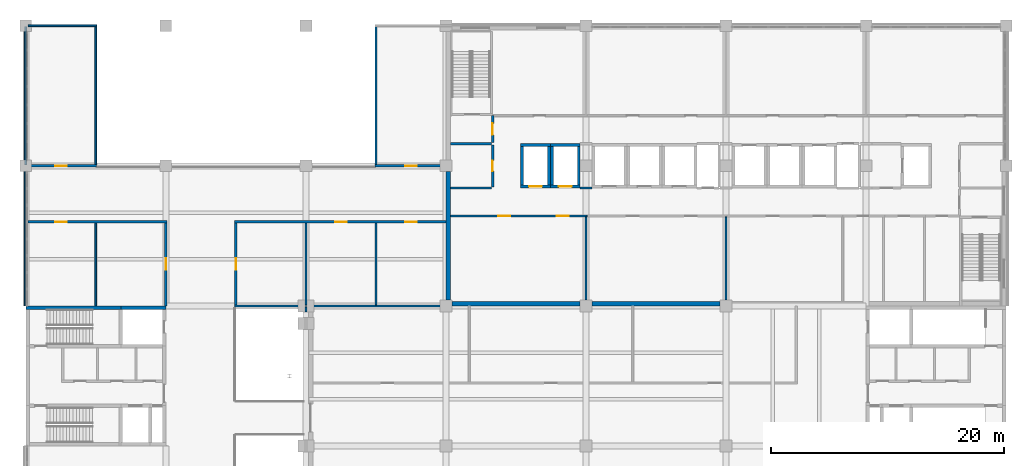
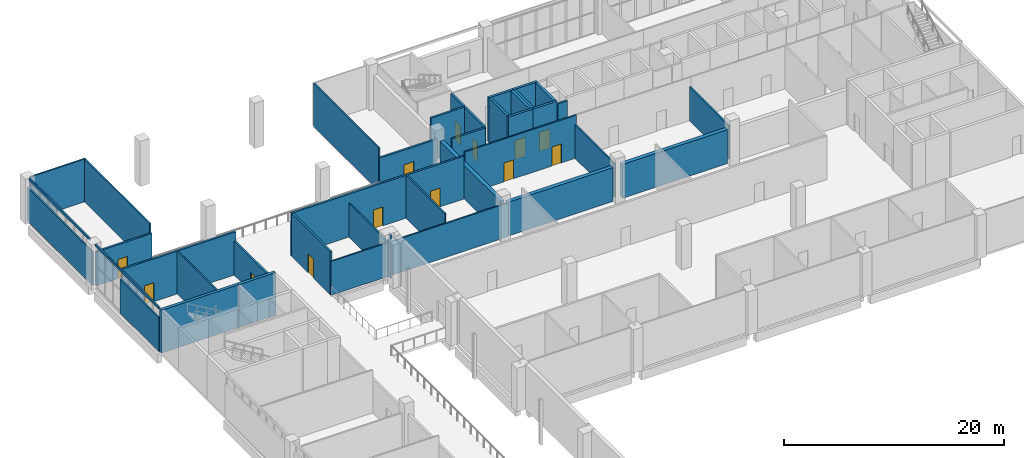
# One storey, part 62 of 69: 39 walls, 13 doors, 13 openings.
"""IFC4 building model written with IfcOpenShell, lengths in metres."""

from ifc_helpers import new_model, si_unit, direction, frame, frame_2d, origin, place, context, subcontext, project, spatial, rectangle, extrude, material, layer, layer_set, type_object, element, fill, save


model = new_model("IFC4")

# Units and contexts
model_context = context("Model", 3, precision=1e-05, world=origin(), true_north=direction((0.0, 1.0)))
body_context = subcontext(model_context, "Body", "Model", "MODEL_VIEW")
ifc_project = project(units=[si_unit("LENGTHUNIT", "METRE"), si_unit("AREAUNIT", "SQUARE_METRE"), si_unit("VOLUMEUNIT", "CUBIC_METRE"), si_unit("PLANEANGLEUNIT", "RADIAN"), si_unit("MASSUNIT", "GRAM", prefix="KILO")], contexts=[model_context])

# Site, building, storey
site_placement = place(None, origin())
site = spatial("IfcSite", under=ifc_project, at=site_placement, CompositionType="ELEMENT")
building_placement = place(site_placement, origin())
building = spatial("IfcBuilding", under=site, at=building_placement, Name="Lilac Gate Convention Centre", CompositionType="ELEMENT")
storey_placement = place(building_placement, frame((0.0, 0.0, 12.0)))
storey = spatial("IfcBuildingStorey", under=building, at=storey_placement, Name="L02", CompositionType="ELEMENT", Elevation=12.0)

# Wall, opening, door
ifc_material_1 = material(Name="Concrete C60", Category="concrete")
ifc_layer_1 = layer(ifc_material_1, 0.25)
ifc_layer_set_1 = layer_set([ifc_layer_1], Name="Concrete C60")
wall_type_1 = type_object("IfcWallType", Name="Core wall 250 C60", PredefinedType="SHEAR", material=ifc_layer_set_1)
wall_1_placement = place(storey_placement, frame((48.39990234375, 232.22509765625, 0.0), z_axis=(0.0, 0.0, 1.0), x_axis=(1.0, 0.0, 0.0)))
wall_1 = element("IfcWall", 1, at=wall_1_placement, inside=storey, type_object=wall_type_1, Name="CRW3 core wall TC L02 25", PredefinedType="SHEAR", context=body_context, shape_type="SweptSolid", body=[
    extrude(rectangle(XDim=2.550048828125, YDim=0.25, at=frame_2d((1.27490234375, 0.0))), origin(), (0.0, 0.0, 1.0), 5.0),
])
opening_1_placement = place(wall_1_placement, frame((0.72509765625, 0.0, 0.0)))
opening_1 = element("IfcOpeningElement", 2, at=opening_1_placement, cuts=wall_1, Name="Opening T02-030", PredefinedType="OPENING", context=body_context, shape_type="SweptSolid", body=[
    extrude(rectangle(XDim=1.10009765625, YDim=2.10009765625, at=frame_2d((0.550048828125, 1.050048828125))), frame((0.0, 0.135009765625, 0.0), z_axis=(0.0, -1.0, 0.0), x_axis=(1.0, 0.0, 0.0)), (0.0, 0.0, 1.0), 0.27001953125),
])
ifc_material_2 = material(Name="Stainless steel 304", Category="steel")
door_type_1 = type_object("IfcDoorType", Name="Lift landing door 1100", OperationType="SLIDING_TO_LEFT", PredefinedType="DOOR", material=ifc_material_2)
door_1_placement = place(opening_1_placement, origin())
door_1 = element("IfcDoor", 3, at=door_1_placement, inside=storey, type_object=door_type_1, Name="Lift landing door TS1 L02", OperationType="SLIDING_TO_LEFT", OverallHeight=2.10009765625, OverallWidth=1.10009765625, PredefinedType="DOOR", context=body_context, shape_type="SweptSolid", body=[
    extrude(rectangle(XDim=1.10009765625, YDim=2.10009765625, at=frame_2d((0.550048828125, 1.050048828125))), frame((0.0, 0.02490234375, 0.0), z_axis=(0.0, -1.0, 0.0), x_axis=(1.0, 0.0, 0.0)), (0.0, 0.0, 1.0), 0.050048828125),
])
fill(opening_1, door_1)

# Walls
wall_2_placement = place(storey_placement, frame((48.39990234375, 235.77490234375, 0.0), z_axis=(0.0, 0.0, 1.0), x_axis=(1.0, 0.0, 0.0)))
element("IfcWall", 4, at=wall_2_placement, inside=storey, type_object=wall_type_1, Name="CRW3 core wall TC L02 26", PredefinedType="SHEAR", context=body_context, shape_type="SweptSolid", body=[
    extrude(rectangle(XDim=2.550048828125, YDim=0.25, at=frame_2d((1.27490234375, 0.0))), origin(), (0.0, 0.0, 1.0), 5.0),
])
for number, where, z_axis, x_axis, name in (
    (5, (48.52490234375, 232.35009765625, 0.0), (0.0, 0.0, 1.0), (0.0, 1.0, 0.0), "CRW3 core wall TC L02 27"),
    (6, (50.824951171875, 232.35009765625, 0.0), (0.0, 0.0, 1.0), (0.0, 1.0, 0.0), "CRW3 core wall TC L02 28"),
):
    element("IfcWall", number, at=place(storey_placement, frame(where, z_axis=z_axis, x_axis=x_axis)), inside=storey, type_object=wall_type_1, Name=name, PredefinedType="SHEAR", context=body_context, shape_type="SweptSolid", body=[
        extrude(rectangle(XDim=3.2998046875, YDim=0.25, at=frame_2d((1.64990234375, 0.0))), origin(), (0.0, 0.0, 1.0), 5.0),
    ])

# Wall, opening, door
wall_3_placement = place(storey_placement, frame((50.949951171875, 232.22509765625, 0.0), z_axis=(0.0, 0.0, 1.0), x_axis=(1.0, 0.0, 0.0)))
wall_3 = element("IfcWall", 7, at=wall_3_placement, inside=storey, type_object=wall_type_1, Name="CRW3 core wall TC L02 29", PredefinedType="SHEAR", context=body_context, shape_type="SweptSolid", body=[
    extrude(rectangle(XDim=2.550048828125, YDim=0.25, at=frame_2d((1.27490234375, 0.0))), origin(), (0.0, 0.0, 1.0), 5.0),
])
opening_2_placement = place(wall_3_placement, frame((0.72509765625, 0.0, 0.0)))
opening_2 = element("IfcOpeningElement", 8, at=opening_2_placement, cuts=wall_3, Name="Opening T02-031", PredefinedType="OPENING", context=body_context, shape_type="SweptSolid", body=[
    extrude(rectangle(XDim=1.10009765625, YDim=2.10009765625, at=frame_2d((0.550048828125, 1.050048828125))), frame((0.0, 0.135009765625, 0.0), z_axis=(0.0, -1.0, 0.0), x_axis=(1.0, 0.0, 0.0)), (0.0, 0.0, 1.0), 0.27001953125),
])
door_2_placement = place(opening_2_placement, origin())
door_2 = element("IfcDoor", 9, at=door_2_placement, inside=storey, type_object=door_type_1, Name="Lift landing door TS2 L02", OperationType="SLIDING_TO_LEFT", OverallHeight=2.10009765625, OverallWidth=1.10009765625, PredefinedType="DOOR", context=body_context, shape_type="SweptSolid", body=[
    extrude(rectangle(XDim=1.10009765625, YDim=2.10009765625, at=frame_2d((0.550048828125, 1.050048828125))), frame((0.0, 0.02490234375, 0.0), z_axis=(0.0, -1.0, 0.0), x_axis=(1.0, 0.0, 0.0)), (0.0, 0.0, 1.0), 0.050048828125),
])
fill(opening_2, door_2)

# Walls
wall_4_placement = place(storey_placement, frame((50.949951171875, 235.77490234375, 0.0), z_axis=(0.0, 0.0, 1.0), x_axis=(1.0, 0.0, 0.0)))
element("IfcWall", 10, at=wall_4_placement, inside=storey, type_object=wall_type_1, Name="CRW3 core wall TC L02 30", PredefinedType="SHEAR", context=body_context, shape_type="SweptSolid", body=[
    extrude(rectangle(XDim=2.550048828125, YDim=0.25, at=frame_2d((1.27490234375, 0.0))), origin(), (0.0, 0.0, 1.0), 5.0),
])
for number, where, z_axis, x_axis, name in (
    (11, (51.074951171875, 232.35009765625, 0.0), (0.0, 0.0, 1.0), (0.0, 1.0, 0.0), "CRW3 core wall TC L02 31"),
    (12, (53.375, 232.35009765625, 0.0), (0.0, 0.0, 1.0), (0.0, 1.0, 0.0), "CRW3 core wall TC L02 32"),
):
    element("IfcWall", number, at=place(storey_placement, frame(where, z_axis=z_axis, x_axis=x_axis)), inside=storey, type_object=wall_type_1, Name=name, PredefinedType="SHEAR", context=body_context, shape_type="SweptSolid", body=[
        extrude(rectangle(XDim=3.2998046875, YDim=0.25, at=frame_2d((1.64990234375, 0.0))), origin(), (0.0, 0.0, 1.0), 5.0),
    ])

# Wall, openings, doors
ifc_material_3 = material(Name="Gypsum board on steel stud", Category="steel")
ifc_layer_2 = layer(ifc_material_3, 0.14990234375)
ifc_layer_set_2 = layer_set([ifc_layer_2], Name="Gypsum board on steel stud")
wall_type_2 = type_object("IfcWallType", Name="Corridor wall 150", PredefinedType="PARTITIONING", material=ifc_layer_set_2)
wall_5_placement = place(storey_placement, frame((54.10009765625, 229.699951171875, 0.0), z_axis=(0.0, 0.0, 1.0), x_axis=(-1.0, 0.0, 0.0)))
wall_5 = element("IfcWall", 13, at=wall_5_placement, inside=storey, type_object=wall_type_2, Name="Corridor wall 150 front M51", PredefinedType="PARTITIONING", context=body_context, shape_type="SweptSolid", body=[
    extrude(rectangle(XDim=11.7001953125, YDim=0.14990234375, at=frame_2d((5.85009765625, 0.0))), origin(), (0.0, 0.0, 1.0), 4.75),
])
opening_3_placement = place(wall_5_placement, frame((6.60009765625, 0.0, 0.0)))
opening_3 = element("IfcOpeningElement", 14, at=opening_3_placement, cuts=wall_5, Name="Opening T02-008", PredefinedType="OPENING", context=body_context, shape_type="SweptSolid", body=[
    extrude(rectangle(XDim=1.0, YDim=2.10009765625, at=frame_2d((0.5, 1.050048828125))), frame((0.0, 0.0849609375, 0.0), z_axis=(0.0, -1.0, 0.0), x_axis=(1.0, 0.0, 0.0)), (0.0, 0.0, 1.0), 0.169921875),
])
opening_4_placement = place(wall_5_placement, frame((1.60009765625, 0.0, 0.0)))
opening_4 = element("IfcOpeningElement", 15, at=opening_4_placement, cuts=wall_5, Name="Opening T02-009", PredefinedType="OPENING", context=body_context, shape_type="SweptSolid", body=[
    extrude(rectangle(XDim=1.0, YDim=2.10009765625, at=frame_2d((0.5, 1.050048828125))), frame((0.0, 0.0849609375, 0.0), z_axis=(0.0, -1.0, 0.0), x_axis=(1.0, 0.0, 0.0)), (0.0, 0.0, 1.0), 0.169921875),
])
ifc_material_4 = material(Name="Timber", Category="wood")
door_type_2 = type_object("IfcDoorType", Name="Room door 1000", OperationType="SINGLE_SWING_LEFT", PredefinedType="DOOR", material=ifc_material_4)
door_3_placement = place(opening_3_placement, origin())
door_3 = element("IfcDoor", 16, at=door_3_placement, inside=storey, type_object=door_type_2, Name="Meeting Room door", OperationType="SINGLE_SWING_RIGHT", OverallHeight=2.10009765625, OverallWidth=1.0, PredefinedType="DOOR", context=body_context, shape_type="SweptSolid", body=[
    extrude(rectangle(XDim=1.0, YDim=2.10009765625, at=frame_2d((0.5, 1.050048828125))), frame((0.0, 0.02490234375, 0.0), z_axis=(0.0, -1.0, 0.0), x_axis=(1.0, 0.0, 0.0)), (0.0, 0.0, 1.0), 0.050048828125),
])
fill(opening_3, door_3)
door_4_placement = place(opening_4_placement, origin())
door_4 = element("IfcDoor", 17, at=door_4_placement, inside=storey, type_object=door_type_2, Name="Meeting Room door", OperationType="SINGLE_SWING_LEFT", OverallHeight=2.10009765625, OverallWidth=1.0, PredefinedType="DOOR", context=body_context, shape_type="SweptSolid", body=[
    extrude(rectangle(XDim=1.0, YDim=2.10009765625, at=frame_2d((0.5, 1.050048828125))), frame((0.0, 0.02490234375, 0.0), z_axis=(0.0, -1.0, 0.0), x_axis=(1.0, 0.0, 0.0)), (0.0, 0.0, 1.0), 0.050048828125),
])
fill(opening_4, door_4)

# Walls
ifc_material_5 = material(Name="Concrete C30", Category="concrete")
ifc_layer_3 = layer(ifc_material_5, 0.39990234375)
ifc_layer_set_3 = layer_set([ifc_layer_3], Name="Concrete C30")
wall_type_3 = type_object("IfcWallType", Name="Hall fire wall 400", PredefinedType="SOLIDWALL", material=ifc_layer_set_3)
for number, where, z_axis, x_axis, name in (
    (18, (42.5, 222.199951171875, 0.0), (0.0, 0.0, 1.0), (1.0, 0.0, 0.0), "Compartment wall S L02 1"),
    (19, (54.5, 222.199951171875, 0.0), (0.0, 0.0, 1.0), (1.0, 0.0, 0.0), "Compartment wall S L02 2"),
    (20, (42.199951171875, 233.5, 0.0), (0.0, 0.0, 1.0), (0.0, -1.0, 0.0), "Compartment wall W L02 2"),
):
    element("IfcWall", number, at=place(storey_placement, frame(where, z_axis=z_axis, x_axis=x_axis)), inside=storey, type_object=wall_type_3, Name=name, PredefinedType="SOLIDWALL", context=body_context, shape_type="SweptSolid", body=[
        extrude(rectangle(XDim=11.0, YDim=0.39990234375, at=frame_2d((5.5, 0.0))), origin(), (0.0, 0.0, 1.0), 3.75),
    ])

# Wall, opening, door
ifc_layer_4 = layer(ifc_material_3, 0.199951171875)
ifc_layer_set_4 = layer_set([ifc_layer_4], Name="Gypsum board on steel stud")
wall_type_4 = type_object("IfcWallType", Name="Lobby wall 200", PredefinedType="PARTITIONING", material=ifc_layer_set_4)
wall_6_placement = place(storey_placement, frame((46.0, 236.0, 0.0), z_axis=(0.0, 0.0, 1.0), x_axis=(0.0, 1.0, 0.0)))
wall_6 = element("IfcWall", 21, at=wall_6_placement, inside=storey, type_object=wall_type_4, Name="Lobby wall 200 STL-NW-E", PredefinedType="PARTITIONING", context=body_context, shape_type="SweptSolid", body=[
    extrude(rectangle(XDim=2.300048828125, YDim=0.199951171875, at=frame_2d((1.14990234375, 0.0))), origin(), (0.0, 0.0, 1.0), 4.75),
])
opening_5_placement = place(wall_6_placement, frame((0.64990234375, 0.0, 0.0)))
opening_5 = element("IfcOpeningElement", 22, at=opening_5_placement, cuts=wall_6, Name="Opening T02-006", PredefinedType="OPENING", context=body_context, shape_type="SweptSolid", body=[
    extrude(rectangle(XDim=1.0, YDim=2.10009765625, at=frame_2d((0.5, 1.050048828125))), frame((0.0, 0.10986328125, 0.0), z_axis=(0.0, -1.0, 0.0), x_axis=(1.0, 0.0, 0.0)), (0.0, 0.0, 1.0), 0.219970703125),
])
ifc_material_6 = material(Name="Steel Q235B", Category="steel")
door_type_3 = type_object("IfcDoorType", Name="Lobby door 1000", OperationType="SINGLE_SWING_LEFT", PredefinedType="DOOR", material=ifc_material_6)
door_5_placement = place(opening_5_placement, origin())
door_5 = element("IfcDoor", 23, at=door_5_placement, inside=storey, type_object=door_type_3, Name="Stair lobby door NW", OperationType="SINGLE_SWING_LEFT", OverallHeight=2.10009765625, OverallWidth=1.0, PredefinedType="DOOR", context=body_context, shape_type="SweptSolid", body=[
    extrude(rectangle(XDim=1.0, YDim=2.10009765625, at=frame_2d((0.5, 1.050048828125))), frame((0.0, 0.02490234375, 0.0), z_axis=(0.0, -1.0, 0.0), x_axis=(1.0, 0.0, 0.0)), (0.0, 0.0, 1.0), 0.050048828125),
])
fill(opening_5, door_5)

# Walls
ifc_material_7 = material(Name="Fire-rated gypsum board on steel stud", Category="steel")
ifc_layer_5 = layer(ifc_material_7, 0.14990234375)
ifc_layer_set_5 = layer_set([ifc_layer_5], Name="Fire-rated gypsum board on steel stud")
wall_type_5 = type_object("IfcWallType", Name="Partition 150 fire-rated gypsum board EI 60", PredefinedType="PARTITIONING", material=ifc_layer_set_5)
wall_7_placement = place(storey_placement, frame((23.89990234375, 222.0, 0.0), z_axis=(0.0, 0.0, 1.0), x_axis=(1.0, 0.0, 0.0)))
element("IfcWall", 24, at=wall_7_placement, inside=storey, type_object=wall_type_5, Name="Partition 150 fire-rated gypsum board EI 60", PredefinedType="PARTITIONING", context=body_context, shape_type="SweptSolid", body=[
    extrude(rectangle(XDim=18.60009765625, YDim=0.14990234375, at=frame_2d((9.300048828125, 0.0))), origin(), (0.0, 0.0, 1.0), 3.75),
])
wall_8_placement = place(storey_placement, frame((6.199951171875, 246.0, 0.0), z_axis=(0.0, 0.0, 1.0), x_axis=(1.0, 0.0, 0.0)))
element("IfcWall", 25, at=wall_8_placement, inside=storey, type_object=wall_type_5, Name="Partition 150 fire-rated gypsum board EI 60", PredefinedType="PARTITIONING", context=body_context, shape_type="SweptSolid", body=[
    extrude(rectangle(XDim=5.875, YDim=0.14990234375, at=frame_2d((2.9375, 0.0))), origin(), (0.0, 0.0, 1.0), 4.75),
])
wall_9_placement = place(storey_placement, frame((6.0, 222.0, 0.0), z_axis=(0.0, 0.0, 1.0), x_axis=(0.0, 1.0, 0.0)))
element("IfcWall", 26, at=wall_9_placement, inside=storey, type_object=wall_type_5, Name="Partition 150 fire-rated gypsum board EI 60", PredefinedType="PARTITIONING", context=body_context, shape_type="SweptSolid", body=[
    extrude(rectangle(XDim=7.10009765625, YDim=0.14990234375, at=frame_2d((3.550048828125, 0.0))), origin(), (0.0, 0.0, 1.0), 3.75),
])
wall_10_placement = place(storey_placement, frame((6.0, 234.10009765625, 0.0), z_axis=(0.0, 0.0, 1.0), x_axis=(0.0, 1.0, 0.0)))
element("IfcWall", 27, at=wall_10_placement, inside=storey, type_object=wall_type_5, Name="Partition 150 fire-rated gypsum board EI 60", PredefinedType="PARTITIONING", context=body_context, shape_type="SweptSolid", body=[
    extrude(rectangle(XDim=11.824951171875, YDim=0.14990234375, at=frame_2d((5.91259765625, 0.0))), origin(), (0.0, 0.0, 1.0), 3.75),
])
wall_11_placement = place(storey_placement, frame((12.0, 222.0, 0.0), z_axis=(0.0, 0.0, 1.0), x_axis=(0.0, 1.0, 0.0)))
element("IfcWall", 28, at=wall_11_placement, inside=storey, type_object=wall_type_5, Name="Partition 150 fire-rated gypsum board EI 60", PredefinedType="PARTITIONING", context=body_context, shape_type="SweptSolid", body=[
    extrude(rectangle(XDim=7.10009765625, YDim=0.14990234375, at=frame_2d((3.550048828125, 0.0))), origin(), (0.0, 0.0, 1.0), 4.75),
])
wall_12_placement = place(storey_placement, frame((12.0, 234.10009765625, 0.0), z_axis=(0.0, 0.0, 1.0), x_axis=(0.0, 1.0, 0.0)))
element("IfcWall", 29, at=wall_12_placement, inside=storey, type_object=wall_type_5, Name="Partition 150 fire-rated gypsum board EI 60", PredefinedType="PARTITIONING", context=body_context, shape_type="SweptSolid", body=[
    extrude(rectangle(XDim=11.824951171875, YDim=0.14990234375, at=frame_2d((5.91259765625, 0.0))), origin(), (0.0, 0.0, 1.0), 4.75),
])
wall_13_placement = place(storey_placement, frame((30.0, 221.5, 0.0), z_axis=(0.0, 0.0, 1.0), x_axis=(0.0, 1.0, 0.0)))
element("IfcWall", 30, at=wall_13_placement, inside=storey, type_object=wall_type_5, Name="Partition 150 fire-rated gypsum board EI 60", PredefinedType="PARTITIONING", context=body_context, shape_type="SweptSolid", body=[
    extrude(rectangle(XDim=0.425048828125, YDim=0.14990234375, at=frame_2d((0.21240234375, 0.0))), origin(), (0.0, 0.0, 1.0), 4.824951171875),
])
wall_14_placement = place(storey_placement, frame((30.0, 222.074951171875, 0.0), z_axis=(0.0, 0.0, 1.0), x_axis=(0.0, 1.0, 0.0)))
element("IfcWall", 31, at=wall_14_placement, inside=storey, type_object=wall_type_5, Name="Partition 150 fire-rated gypsum board EI 60", PredefinedType="PARTITIONING", context=body_context, shape_type="SweptSolid", body=[
    extrude(rectangle(XDim=7.025146484375, YDim=0.14990234375, at=frame_2d((3.5126953125, 0.0))), origin(), (0.0, 0.0, 1.0), 3.75),
])
wall_15_placement = place(storey_placement, frame((36.0, 222.074951171875, 0.0), z_axis=(0.0, 0.0, 1.0), x_axis=(0.0, 1.0, 0.0)))
element("IfcWall", 32, at=wall_15_placement, inside=storey, type_object=wall_type_5, Name="Partition 150 fire-rated gypsum board EI 60", PredefinedType="PARTITIONING", context=body_context, shape_type="SweptSolid", body=[
    extrude(rectangle(XDim=7.025146484375, YDim=0.14990234375, at=frame_2d((3.5126953125, 0.0))), origin(), (0.0, 0.0, 1.0), 4.75),
])
wall_16_placement = place(storey_placement, frame((36.0, 234.10009765625, 0.0), z_axis=(0.0, 0.0, 1.0), x_axis=(0.0, 1.0, 0.0)))
element("IfcWall", 33, at=wall_16_placement, inside=storey, type_object=wall_type_5, Name="Partition 150 fire-rated gypsum board EI 60", PredefinedType="PARTITIONING", context=body_context, shape_type="SweptSolid", body=[
    extrude(rectangle(XDim=11.824951171875, YDim=0.14990234375, at=frame_2d((5.91259765625, 0.0))), origin(), (0.0, 0.0, 1.0), 4.75),
])

# Wall, opening, door
ifc_material_8 = material(Name="Clay brick masonry", Category="masonry")
ifc_layer_6 = layer(ifc_material_8, 0.199951171875)
ifc_layer_set_6 = layer_set([ifc_layer_6], Name="Clay brick masonry")
wall_type_6 = type_object("IfcWallType", Name="Partition 200 brick EI 60", PredefinedType="PARTITIONING", material=ifc_layer_set_6)
wall_17_placement = place(storey_placement, frame((6.199951171875, 229.199951171875, 0.0), z_axis=(0.0, 0.0, 1.0), x_axis=(1.0, 0.0, 0.0)))
wall_17 = element("IfcWall", 34, at=wall_17_placement, inside=storey, type_object=wall_type_6, Name="Partition 200 brick EI 60", PredefinedType="PARTITIONING", context=body_context, shape_type="SweptSolid", body=[
    extrude(rectangle(XDim=11.900146484375, YDim=0.199951171875, at=frame_2d((5.9501953125, 0.0))), origin(), (0.0, 0.0, 1.0), 4.75),
])
opening_6_placement = place(wall_17_placement, frame((2.300048828125, 0.0, 0.0)))
opening_6 = element("IfcOpeningElement", 35, at=opening_6_placement, cuts=wall_17, Name="Opening L02-108", PredefinedType="OPENING", context=body_context, shape_type="SweptSolid", body=[
    extrude(rectangle(XDim=1.0, YDim=2.10009765625, at=frame_2d((0.5, 1.050048828125))), frame((0.0, 0.10986328125, 0.0), z_axis=(0.0, -1.0, 0.0), x_axis=(1.0, 0.0, 0.0)), (0.0, 0.0, 1.0), 0.219970703125),
])
ifc_material_9 = material(Name="Timber fire door leaf", Category="wood")
door_type_4 = type_object("IfcDoorType", Name="Door 1000 x 2100 single leaf FD30", OperationType="SINGLE_SWING_LEFT", PredefinedType="DOOR", material=ifc_material_9)
door_6_placement = place(opening_6_placement, frame((1.0, 0.0, 0.0), z_axis=(0.0, 0.0, 1.0), x_axis=(-1.0, 0.0, 0.0)))
door_6 = element("IfcDoor", 36, at=door_6_placement, inside=storey, type_object=door_type_4, Name="Office door L02-108", OperationType="SINGLE_SWING_LEFT", OverallHeight=2.10009765625, OverallWidth=1.0, PredefinedType="DOOR", context=body_context, shape_type="SweptSolid", body=[
    extrude(rectangle(XDim=1.0, YDim=2.10009765625, at=frame_2d((0.5, 1.050048828125))), frame((0.0, 0.02490234375, 0.0), z_axis=(0.0, -1.0, 0.0), x_axis=(1.0, 0.0, 0.0)), (0.0, 0.0, 1.0), 0.050048828125),
])
fill(opening_6, door_6)

# Wall, openings, doors
wall_18_placement = place(storey_placement, frame((23.89990234375, 229.199951171875, 0.0), z_axis=(0.0, 0.0, 1.0), x_axis=(1.0, 0.0, 0.0)))
wall_18 = element("IfcWall", 37, at=wall_18_placement, inside=storey, type_object=wall_type_6, Name="Partition 200 brick EI 60", PredefinedType="PARTITIONING", context=body_context, shape_type="SweptSolid", body=[
    extrude(rectangle(XDim=18.10009765625, YDim=0.199951171875, at=frame_2d((9.050048828125, 0.0))), origin(), (0.0, 0.0, 1.0), 4.75),
])
opening_7_placement = place(wall_18_placement, frame((8.60009765625, 0.0, 0.0)))
opening_7 = element("IfcOpeningElement", 38, at=opening_7_placement, cuts=wall_18, Name="Opening L02-109", PredefinedType="OPENING", context=body_context, shape_type="SweptSolid", body=[
    extrude(rectangle(XDim=1.0, YDim=2.10009765625, at=frame_2d((0.5, 1.050048828125))), frame((0.0, 0.10986328125, 0.0), z_axis=(0.0, -1.0, 0.0), x_axis=(1.0, 0.0, 0.0)), (0.0, 0.0, 1.0), 0.219970703125),
])
opening_8_placement = place(wall_18_placement, frame((14.60009765625, 0.0, 0.0)))
opening_8 = element("IfcOpeningElement", 39, at=opening_8_placement, cuts=wall_18, Name="Opening L02-110", PredefinedType="OPENING", context=body_context, shape_type="SweptSolid", body=[
    extrude(rectangle(XDim=1.0, YDim=2.10009765625, at=frame_2d((0.5, 1.050048828125))), frame((0.0, 0.10986328125, 0.0), z_axis=(0.0, -1.0, 0.0), x_axis=(1.0, 0.0, 0.0)), (0.0, 0.0, 1.0), 0.219970703125),
])
door_7_placement = place(opening_7_placement, frame((1.0, 0.0, 0.0), z_axis=(0.0, 0.0, 1.0), x_axis=(-1.0, 0.0, 0.0)))
door_7 = element("IfcDoor", 40, at=door_7_placement, inside=storey, type_object=door_type_4, Name="Office door L02-109", OperationType="SINGLE_SWING_LEFT", OverallHeight=2.10009765625, OverallWidth=1.0, PredefinedType="DOOR", context=body_context, shape_type="SweptSolid", body=[
    extrude(rectangle(XDim=1.0, YDim=2.10009765625, at=frame_2d((0.5, 1.050048828125))), frame((0.0, 0.02490234375, 0.0), z_axis=(0.0, -1.0, 0.0), x_axis=(1.0, 0.0, 0.0)), (0.0, 0.0, 1.0), 0.050048828125),
])
fill(opening_7, door_7)
door_8_placement = place(opening_8_placement, frame((1.0, 0.0, 0.0), z_axis=(0.0, 0.0, 1.0), x_axis=(-1.0, 0.0, 0.0)))
door_8 = element("IfcDoor", 41, at=door_8_placement, inside=storey, type_object=door_type_4, Name="Office door L02-110", OperationType="SINGLE_SWING_LEFT", OverallHeight=2.10009765625, OverallWidth=1.0, PredefinedType="DOOR", context=body_context, shape_type="SweptSolid", body=[
    extrude(rectangle(XDim=1.0, YDim=2.10009765625, at=frame_2d((0.5, 1.050048828125))), frame((0.0, 0.02490234375, 0.0), z_axis=(0.0, -1.0, 0.0), x_axis=(1.0, 0.0, 0.0)), (0.0, 0.0, 1.0), 0.050048828125),
])
fill(opening_8, door_8)

# Wall, opening, door
wall_19_placement = place(storey_placement, frame((6.199951171875, 234.0, 0.0), z_axis=(0.0, 0.0, 1.0), x_axis=(1.0, 0.0, 0.0)))
wall_19 = element("IfcWall", 42, at=wall_19_placement, inside=storey, type_object=wall_type_6, Name="Partition 200 brick EI 60", PredefinedType="PARTITIONING", context=body_context, shape_type="SweptSolid", body=[
    extrude(rectangle(XDim=5.875, YDim=0.199951171875, at=frame_2d((2.9375, 0.0))), origin(), (0.0, 0.0, 1.0), 3.75),
])
opening_9_placement = place(wall_19_placement, frame((2.300048828125, 0.0, 0.0)))
opening_9 = element("IfcOpeningElement", 43, at=opening_9_placement, cuts=wall_19, Name="Opening L02-111", PredefinedType="OPENING", context=body_context, shape_type="SweptSolid", body=[
    extrude(rectangle(XDim=1.0, YDim=2.10009765625, at=frame_2d((0.5, 1.050048828125))), frame((0.0, 0.10986328125, 0.0), z_axis=(0.0, -1.0, 0.0), x_axis=(1.0, 0.0, 0.0)), (0.0, 0.0, 1.0), 0.219970703125),
])
door_9_placement = place(opening_9_placement, origin())
door_9 = element("IfcDoor", 44, at=door_9_placement, inside=storey, type_object=door_type_4, Name="Office door L02-111", OperationType="SINGLE_SWING_RIGHT", OverallHeight=2.10009765625, OverallWidth=1.0, PredefinedType="DOOR", context=body_context, shape_type="SweptSolid", body=[
    extrude(rectangle(XDim=1.0, YDim=2.10009765625, at=frame_2d((0.5, 1.050048828125))), frame((0.0, 0.02490234375, 0.0), z_axis=(0.0, -1.0, 0.0), x_axis=(1.0, 0.0, 0.0)), (0.0, 0.0, 1.0), 0.050048828125),
])
fill(opening_9, door_9)

wall_20_placement = place(storey_placement, frame((35.925048828125, 234.0, 0.0), z_axis=(0.0, 0.0, 1.0), x_axis=(1.0, 0.0, 0.0)))
wall_20 = element("IfcWall", 45, at=wall_20_placement, inside=storey, type_object=wall_type_6, Name="Partition 200 brick EI 60", PredefinedType="PARTITIONING", context=body_context, shape_type="SweptSolid", body=[
    extrude(rectangle(XDim=6.074951171875, YDim=0.199951171875, at=frame_2d((3.03759765625, 0.0))), origin(), (0.0, 0.0, 1.0), 3.75),
])
opening_10_placement = place(wall_20_placement, frame((2.574951171875, 0.0, 0.0)))
opening_10 = element("IfcOpeningElement", 46, at=opening_10_placement, cuts=wall_20, Name="Opening L02-112", PredefinedType="OPENING", context=body_context, shape_type="SweptSolid", body=[
    extrude(rectangle(XDim=1.0, YDim=2.10009765625, at=frame_2d((0.5, 1.050048828125))), frame((0.0, 0.10986328125, 0.0), z_axis=(0.0, -1.0, 0.0), x_axis=(1.0, 0.0, 0.0)), (0.0, 0.0, 1.0), 0.219970703125),
])
door_10_placement = place(opening_10_placement, origin())
door_10 = element("IfcDoor", 47, at=door_10_placement, inside=storey, type_object=door_type_4, Name="Office door L02-112", OperationType="SINGLE_SWING_RIGHT", OverallHeight=2.10009765625, OverallWidth=1.0, PredefinedType="DOOR", context=body_context, shape_type="SweptSolid", body=[
    extrude(rectangle(XDim=1.0, YDim=2.10009765625, at=frame_2d((0.5, 1.050048828125))), frame((0.0, 0.02490234375, 0.0), z_axis=(0.0, -1.0, 0.0), x_axis=(1.0, 0.0, 0.0)), (0.0, 0.0, 1.0), 0.050048828125),
])
fill(opening_10, door_10)

wall_21_placement = place(storey_placement, frame((18.0, 222.0, 0.0), z_axis=(0.0, 0.0, 1.0), x_axis=(0.0, 1.0, 0.0)))
wall_21 = element("IfcWall", 48, at=wall_21_placement, inside=storey, type_object=wall_type_6, Name="Partition 200 brick EI 60", PredefinedType="PARTITIONING", context=body_context, shape_type="SweptSolid", body=[
    extrude(rectangle(XDim=7.10009765625, YDim=0.199951171875, at=frame_2d((3.550048828125, 0.0))), origin(), (0.0, 0.0, 1.0), 3.75),
])
opening_11_placement = place(wall_21_placement, frame((3.10009765625, 0.0, 0.0)))
opening_11 = element("IfcOpeningElement", 49, at=opening_11_placement, cuts=wall_21, Name="Opening L02-106", PredefinedType="OPENING", context=body_context, shape_type="SweptSolid", body=[
    extrude(rectangle(XDim=1.0, YDim=2.10009765625, at=frame_2d((0.5, 1.050048828125))), frame((0.0, 0.10986328125, 0.0), z_axis=(0.0, -1.0, 0.0), x_axis=(1.0, 0.0, 0.0)), (0.0, 0.0, 1.0), 0.219970703125),
])
door_11_placement = place(opening_11_placement, origin())
door_11 = element("IfcDoor", 50, at=door_11_placement, inside=storey, type_object=door_type_4, Name="Office door L02-106", OperationType="SINGLE_SWING_RIGHT", OverallHeight=2.10009765625, OverallWidth=1.0, PredefinedType="DOOR", context=body_context, shape_type="SweptSolid", body=[
    extrude(rectangle(XDim=1.0, YDim=2.10009765625, at=frame_2d((0.5, 1.050048828125))), frame((0.0, 0.02490234375, 0.0), z_axis=(0.0, -1.0, 0.0), x_axis=(1.0, 0.0, 0.0)), (0.0, 0.0, 1.0), 0.050048828125),
])
fill(opening_11, door_11)

wall_22_placement = place(storey_placement, frame((24.0, 222.074951171875, 0.0), z_axis=(0.0, 0.0, 1.0), x_axis=(0.0, 1.0, 0.0)))
wall_22 = element("IfcWall", 51, at=wall_22_placement, inside=storey, type_object=wall_type_6, Name="Partition 200 brick EI 60", PredefinedType="PARTITIONING", context=body_context, shape_type="SweptSolid", body=[
    extrude(rectangle(XDim=7.025146484375, YDim=0.199951171875, at=frame_2d((3.5126953125, 0.0))), origin(), (0.0, 0.0, 1.0), 4.75),
])
opening_12_placement = place(wall_22_placement, frame((3.02490234375, 0.0, 0.0)))
opening_12 = element("IfcOpeningElement", 52, at=opening_12_placement, cuts=wall_22, Name="Opening L02-107", PredefinedType="OPENING", context=body_context, shape_type="SweptSolid", body=[
    extrude(rectangle(XDim=1.0, YDim=2.10009765625, at=frame_2d((0.5, 1.050048828125))), frame((0.0, 0.10986328125, 0.0), z_axis=(0.0, -1.0, 0.0), x_axis=(1.0, 0.0, 0.0)), (0.0, 0.0, 1.0), 0.219970703125),
])
door_12_placement = place(opening_12_placement, frame((1.0, 0.0, 0.0), z_axis=(0.0, 0.0, 1.0), x_axis=(-1.0, 0.0, 0.0)))
door_12 = element("IfcDoor", 53, at=door_12_placement, inside=storey, type_object=door_type_4, Name="Office door L02-107", OperationType="SINGLE_SWING_LEFT", OverallHeight=2.10009765625, OverallWidth=1.0, PredefinedType="DOOR", context=body_context, shape_type="SweptSolid", body=[
    extrude(rectangle(XDim=1.0, YDim=2.10009765625, at=frame_2d((0.5, 1.050048828125))), frame((0.0, 0.02490234375, 0.0), z_axis=(0.0, -1.0, 0.0), x_axis=(1.0, 0.0, 0.0)), (0.0, 0.0, 1.0), 0.050048828125),
])
fill(opening_12, door_12)

# Walls
ifc_material_10 = material(Name="Concrete C40 precast", Category="concrete")
ifc_layer_7 = layer(ifc_material_10, 0.1298828125)
ifc_material_11 = material(Name="Terracotta glazed cladding", Category="masonry")
ifc_layer_8 = layer(ifc_material_11, 0.02001953125)
ifc_layer_set_7 = layer_set([ifc_layer_7, ifc_layer_8], Name="Concrete C40 precast, Terracotta glazed cladding")
wall_type_7 = type_object("IfcWallType", Name="Precast band terracotta 150", PredefinedType="STANDARD", material=ifc_layer_set_7)
wall_23_placement = place(storey_placement, frame((5.925048828125, 245.5, 4.75), z_axis=(0.0, 0.0, 1.0), x_axis=(0.0, -1.0, 0.0)))
element("IfcWall", 54, at=wall_23_placement, inside=storey, type_object=wall_type_7, Name="Precast band GW L02 1", PredefinedType="STANDARD", context=body_context, shape_type="SweptSolid", body=[
    extrude(rectangle(XDim=11.0, YDim=0.14990234375, at=frame_2d((5.5, 0.0))), origin(), (0.0, 0.0, 1.0), 0.25),
])
wall_24_placement = place(storey_placement, frame((5.925048828125, 233.5, 4.75), z_axis=(0.0, 0.0, 1.0), x_axis=(0.0, -1.0, 0.0)))
element("IfcWall", 55, at=wall_24_placement, inside=storey, type_object=wall_type_7, Name="Precast band GW L02 2", PredefinedType="STANDARD", context=body_context, shape_type="SweptSolid", body=[
    extrude(rectangle(XDim=11.5, YDim=0.14990234375, at=frame_2d((5.75, 0.0))), origin(), (0.0, 0.0, 1.0), 0.25),
])
ifc_layer_9 = layer(ifc_material_3, 0.199951171875)
ifc_layer_set_8 = layer_set([ifc_layer_9], Name="Gypsum board on steel stud")
wall_type_8 = type_object("IfcWallType", Name="Riser and store wall 200", PredefinedType="PARTITIONING", material=ifc_layer_set_8)
wall_25_placement = place(storey_placement, frame((42.39990234375, 232.10009765625, 0.0), z_axis=(0.0, 0.0, 1.0), x_axis=(1.0, 0.0, 0.0)))
element("IfcWall", 56, at=wall_25_placement, inside=storey, type_object=wall_type_8, Name="Riser and store wall 200 HKW-S", PredefinedType="PARTITIONING", context=body_context, shape_type="SweptSolid", body=[
    extrude(rectangle(XDim=3.5, YDim=0.199951171875, at=frame_2d((1.75, 0.0))), origin(), (0.0, 0.0, 1.0), 4.75),
])
wall_26_placement = place(storey_placement, frame((53.5, 232.10009765625, 0.0), z_axis=(0.0, 0.0, 1.0), x_axis=(1.0, 0.0, 0.0)))
element("IfcWall", 57, at=wall_26_placement, inside=storey, type_object=wall_type_8, Name="Riser and store wall 200 NICHE1-S", PredefinedType="PARTITIONING", context=body_context, shape_type="SweptSolid", body=[
    extrude(rectangle(XDim=1.0, YDim=0.199951171875, at=frame_2d((0.5, 0.0))), origin(), (0.0, 0.0, 1.0), 4.75),
])
wall_27_placement = place(storey_placement, frame((42.39990234375, 235.89990234375, 0.0), z_axis=(0.0, 0.0, 1.0), x_axis=(1.0, 0.0, 0.0)))
element("IfcWall", 58, at=wall_27_placement, inside=storey, type_object=wall_type_8, Name="Riser and store wall 200 HKW-N", PredefinedType="PARTITIONING", context=body_context, shape_type="SweptSolid", body=[
    extrude(rectangle(XDim=3.5, YDim=0.199951171875, at=frame_2d((1.75, 0.0))), origin(), (0.0, 0.0, 1.0), 4.75),
])

# Wall, opening, door
wall_28_placement = place(storey_placement, frame((46.0, 232.199951171875, 0.0), z_axis=(0.0, 0.0, 1.0), x_axis=(0.0, 1.0, 0.0)))
wall_28 = element("IfcWall", 59, at=wall_28_placement, inside=storey, type_object=wall_type_8, Name="Riser and store wall 200 HKW-E", PredefinedType="PARTITIONING", context=body_context, shape_type="SweptSolid", body=[
    extrude(rectangle(XDim=3.60009765625, YDim=0.199951171875, at=frame_2d((1.800048828125, 0.0))), origin(), (0.0, 0.0, 1.0), 4.75),
])
opening_13_placement = place(wall_28_placement, frame((1.35009765625, 0.0, 0.0)))
opening_13 = element("IfcOpeningElement", 60, at=opening_13_placement, cuts=wall_28, Name="Opening T02-001", PredefinedType="OPENING", context=body_context, shape_type="SweptSolid", body=[
    extrude(rectangle(XDim=0.89990234375, YDim=2.10009765625, at=frame_2d((0.449951171875, 1.050048828125))), frame((0.0, 0.10986328125, 0.0), z_axis=(0.0, -1.0, 0.0), x_axis=(1.0, 0.0, 0.0)), (0.0, 0.0, 1.0), 0.219970703125),
])
door_type_5 = type_object("IfcDoorType", Name="Riser and store door 900", OperationType="SINGLE_SWING_LEFT", PredefinedType="DOOR", material=ifc_material_6)
door_13_placement = place(opening_13_placement, origin())
door_13 = element("IfcDoor", 61, at=door_13_placement, inside=storey, type_object=door_type_5, Name="Housekeeping door", OperationType="SINGLE_SWING_LEFT", OverallHeight=2.10009765625, OverallWidth=0.89990234375, PredefinedType="DOOR", context=body_context, shape_type="SweptSolid", body=[
    extrude(rectangle(XDim=0.89990234375, YDim=2.10009765625, at=frame_2d((0.449951171875, 1.050048828125))), frame((0.0, 0.02490234375, 0.0), z_axis=(0.0, -1.0, 0.0), x_axis=(1.0, 0.0, 0.0)), (0.0, 0.0, 1.0), 0.050048828125),
])
fill(opening_13, door_13)

# Walls
ifc_layer_10 = layer(ifc_material_3, 0.14990234375)
ifc_layer_set_9 = layer_set([ifc_layer_10], Name="Gypsum board on steel stud")
wall_type_9 = type_object("IfcWallType", Name="Room partition 150", PredefinedType="PARTITIONING", material=ifc_layer_set_9)
for number, where, z_axis, x_axis, name in (
    (62, (54.0, 222.5, 0.0), (0.0, 0.0, 1.0), (0.0, 1.0, 0.0), "Room partition 150 part M52"),
    (63, (66.0, 222.5, 0.0), (0.0, 0.0, 1.0), (0.0, 1.0, 0.0), "Room partition 150 part M53"),
):
    element("IfcWall", number, at=place(storey_placement, frame(where, z_axis=z_axis, x_axis=x_axis)), inside=storey, type_object=wall_type_9, Name=name, PredefinedType="PARTITIONING", context=body_context, shape_type="SweptSolid", body=[
        extrude(rectangle(XDim=7.125, YDim=0.14990234375, at=frame_2d((3.5625, 0.0))), origin(), (0.0, 0.0, 1.0), 3.75),
    ])
ifc_material_12 = material(Name="Concrete C40", Category="concrete")
ifc_layer_11 = layer(ifc_material_12, 0.300048828125)
ifc_layer_set_10 = layer_set([ifc_layer_11], Name="Concrete C40")
wall_type_10 = type_object("IfcWallType", Name="Shear wall 300 C40", PredefinedType="SHEAR", material=ifc_layer_set_10)
wall_29_placement = place(storey_placement, frame((6.0, 221.85009765625, 0.0), z_axis=(0.0, 0.0, 1.0), x_axis=(1.0, 0.0, 0.0)))
element("IfcWall", 64, at=wall_29_placement, inside=storey, type_object=wall_type_10, Name="SW1 shear wall W4 L02 4", PredefinedType="SHEAR", context=body_context, shape_type="SweptSolid", body=[
    extrude(rectangle(XDim=8.14990234375, YDim=0.300048828125, at=frame_2d((4.074951171875, 0.0))), origin(), (0.0, 0.0, 1.0), 4.75),
])
wall_30_placement = place(storey_placement, frame((14.14990234375, 221.85009765625, 0.0), z_axis=(0.0, 0.0, 1.0), x_axis=(1.0, 0.0, 0.0)))
element("IfcWall", 65, at=wall_30_placement, inside=storey, type_object=wall_type_10, Name="SW1 shear wall W4 L02 5", PredefinedType="SHEAR", context=body_context, shape_type="SweptSolid", body=[
    extrude(rectangle(XDim=3.85009765625, YDim=0.300048828125, at=frame_2d((1.925048828125, 0.0))), origin(), (0.0, 0.0, 1.0), 4.75),
])

save(model, "model.ifc")
